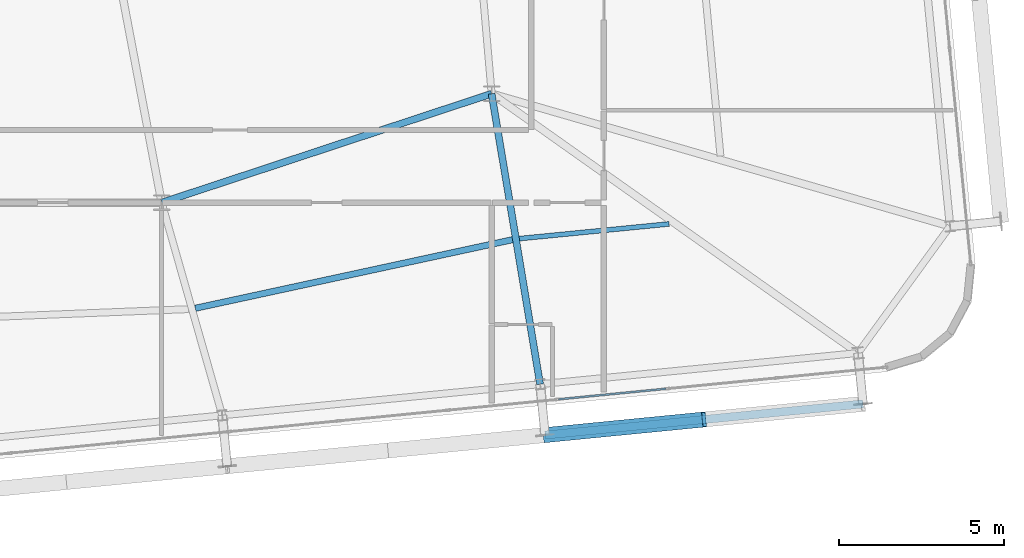
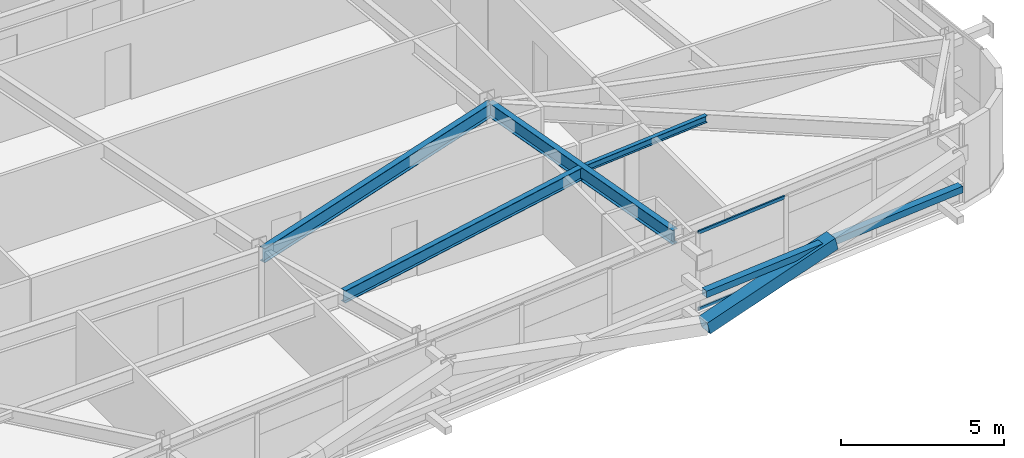
# One storey, part 19 of 52: 4 beams, 4 members, 1 element without a shape of its own.
"""IFC4 building model written with IfcOpenShell, lengths in metres."""

import ifcopenshell
import ifcopenshell.guid

model = None  # the IFC model being written
_history = None  # IfcOwnerHistory: only IFC2X3 demands one
_inside = {}  # id of a spatial element -> (the spatial element, [elements in it])
_under = {}  # id of a project, library or spatial element -> (it, [spatial elements below it])
_declared = {}  # id of a project -> (the project, [libraries it declares])
_typed = {}  # id of a type object -> (the type object, [elements of that type])
_made_of = {}  # id of a material, layer set ... -> (it, [elements and type objects made of it])


def new_model(schema):
    """Start an empty IFC model of exactly this schema.

    Asked for "IFC4X3", IfcOpenShell would pick the latest addendum, in which some entities
    have other attributes; the version numbers below select the first issue.
    IFC2X3 requires an IfcOwnerHistory on every rooted entity: one is made here for all.
    """
    global model, _history
    if schema == "IFC4X3":
        model = ifcopenshell.file(schema_version=(4, 3, 0, 0))
    else:
        model = ifcopenshell.file(schema=schema)
    _inside.clear()
    _under.clear()
    _declared.clear()
    _typed.clear()
    _made_of.clear()
    _history = None
    if model.schema == "IFC2X3":
        org = make("IfcOrganization", Name="unknown")
        user = make(
            "IfcPersonAndOrganization",
            ThePerson=make("IfcPerson", FamilyName="unknown"),
            TheOrganization=org,
        )
        app = make(
            "IfcApplication",
            ApplicationDeveloper=org,
            Version="unknown",
            ApplicationFullName="unknown",
            ApplicationIdentifier="unknown",
        )
        _history = make(
            "IfcOwnerHistory",
            OwningUser=user,
            OwningApplication=app,
            ChangeAction="ADDED",
            CreationDate=0,
        )
    return model


def make(cls, **values):
    """One entity of the class cls with the attributes given. An attribute that is None is left unset."""
    return model.create_entity(
        cls, **{name: value for name, value in values.items() if value is not None}
    )


def rooted(cls, **values):
    """An entity with a GlobalId (a new one), such as an element, a storey or a relation."""
    return make(cls, GlobalId=ifcopenshell.guid.new(), OwnerHistory=_history, **values)


def si_unit(unit_type, name, prefix=None):
    """IfcSIUnit, for example si_unit("LENGTHUNIT", "METRE", prefix="MILLI")."""
    return make("IfcSIUnit", UnitType=unit_type, Prefix=prefix, Name=name)


def assignment(units):
    """IfcUnitAssignment: the units of a project."""
    return None if units is None else make("IfcUnitAssignment", Units=units)


def point(xyz):
    """IfcCartesianPoint."""
    return None if xyz is None else make("IfcCartesianPoint", Coordinates=xyz)


def direction(xyz):
    """IfcDirection."""
    return None if xyz is None else make("IfcDirection", DirectionRatios=xyz)


def frame(location, z_axis=None, x_axis=None):
    """IfcAxis2Placement3D, a coordinate frame: its origin and axes. An axis left out is left unset."""
    return make(
        "IfcAxis2Placement3D",
        Location=point(location),
        Axis=direction(z_axis),
        RefDirection=direction(x_axis),
    )


def frame_2d(location, x_axis=None):
    """IfcAxis2Placement2D, a coordinate frame in the plane: its origin and x axis."""
    return make(
        "IfcAxis2Placement2D", Location=point(location), RefDirection=direction(x_axis)
    )


def origin():
    """The frame at (0, 0, 0) with its axes left unset."""
    return frame((0.0, 0.0, 0.0))


def origin_2d():
    """The frame at (0, 0) in the plane with its x axis left unset."""
    return frame_2d((0.0, 0.0))


def place(relative_to, where):
    """IfcLocalPlacement: puts the frame where relative to a parent placement (None: the world)."""
    return make(
        "IfcLocalPlacement", PlacementRelTo=relative_to, RelativePlacement=where
    )


def context(
    kind, dimensions, precision=None, world=None, true_north=None, identifier=None
):
    """IfcGeometricRepresentationContext, for example the 3D "Model" context."""
    return make(
        "IfcGeometricRepresentationContext",
        ContextIdentifier=identifier,
        ContextType=kind,
        CoordinateSpaceDimension=dimensions,
        Precision=precision,
        WorldCoordinateSystem=world,
        TrueNorth=true_north,
    )


def subcontext(parent, identifier, kind, view, scale=None):
    """IfcGeometricRepresentationSubContext, for example "Body" below "Model"."""
    return make(
        "IfcGeometricRepresentationSubContext",
        ContextIdentifier=identifier,
        ContextType=kind,
        ParentContext=parent,
        TargetScale=scale,
        TargetView=view,
    )


def project(units=None, contexts=None):
    """IfcProject with its units and contexts."""
    return rooted(
        "IfcProject",
        Name="project",
        RepresentationContexts=contexts,
        UnitsInContext=assignment(units),
    )


def spatial(cls, under=None, at=None, **own):
    """A site, building, storey or space (cls), placed at a placement, below another one or the project."""
    s = rooted(cls, ObjectPlacement=at, **own)
    if under is not None:
        _under.setdefault(under.id(), (under, []))[1].append(s)
    return s


def profile(cls, at=None, kind="AREA", **sizes):
    """A parametric profile (cls). Its sizes go by their IFC names, for example OverallWidth=200.0."""
    return make(cls, ProfileType=kind, Position=at, **sizes)


def hollow_rectangle(**sizes):
    """IfcRectangleHollowProfileDef."""
    return profile("IfcRectangleHollowProfileDef", **sizes)


def i_section(**sizes):
    """IfcIShapeProfileDef."""
    return profile("IfcIShapeProfileDef", **sizes)


def extrude(swept, where, along, depth):
    """IfcExtrudedAreaSolid: the profile swept, set in the frame where, extruded along a direction by depth."""
    return make(
        "IfcExtrudedAreaSolid",
        SweptArea=swept,
        Position=where,
        ExtrudedDirection=direction(along),
        Depth=depth,
    )


def shape(context_of_items, identifier, shape_type, items):
    """IfcShapeRepresentation: the items that make up one representation, for example the "Body"."""
    return make(
        "IfcShapeRepresentation",
        ContextOfItems=context_of_items,
        RepresentationIdentifier=identifier,
        RepresentationType=shape_type,
        Items=items,
    )


def source(mapping_origin, context_of_items, identifier, shape_type, items):
    """IfcRepresentationMap: a shape defined once, which mapped items show again and again."""
    return make(
        "IfcRepresentationMap",
        MappingOrigin=mapping_origin,
        MappedRepresentation=shape(context_of_items, identifier, shape_type, items),
    )


def transform(
    local_origin,
    x_axis=None,
    y_axis=None,
    z_axis=None,
    scale=None,
    scale2=None,
    scale3=None,
    uniform=True,
):
    """IfcCartesianTransformationOperator3D, or its non-uniform kind. x_axis, y_axis, z_axis: its Axis1, 2, 3."""
    if uniform:
        return make(
            "IfcCartesianTransformationOperator3D",
            Axis1=direction(x_axis),
            Axis2=direction(y_axis),
            LocalOrigin=point(local_origin),
            Scale=scale,
            Axis3=direction(z_axis),
        )
    return make(
        "IfcCartesianTransformationOperator3DnonUniform",
        Axis1=direction(x_axis),
        Axis2=direction(y_axis),
        LocalOrigin=point(local_origin),
        Scale=scale,
        Axis3=direction(z_axis),
        Scale2=scale2,
        Scale3=scale3,
    )


def mapped(mapping_source, mapping_target):
    """IfcMappedItem: shows the shape of a source again, moved by a transform."""
    return make(
        "IfcMappedItem", MappingSource=mapping_source, MappingTarget=mapping_target
    )


def material(Name=None, Category=None):
    """IfcMaterial."""
    return make("IfcMaterial", Name=Name, Category=Category)


def layer(
    of_material, thickness, ventilated=None, Name=None, Category=None, Priority=None
):
    """IfcMaterialLayer: one layer of a wall or slab, of a material (None: an air gap)."""
    return make(
        "IfcMaterialLayer",
        Material=of_material,
        LayerThickness=thickness,
        IsVentilated=ventilated,
        Name=Name,
        Category=Category,
        Priority=Priority,
    )


def layer_set(layers, Name=None):
    """IfcMaterialLayerSet."""
    return make("IfcMaterialLayerSet", MaterialLayers=layers, LayerSetName=Name)


def material_profile(
    of_material, cross_section, Name=None, Category=None, Priority=None
):
    """IfcMaterialProfile: a cross section and its material."""
    return make(
        "IfcMaterialProfile",
        Name=Name,
        Material=of_material,
        Profile=cross_section,
        Priority=Priority,
        Category=Category,
    )


def profile_set(profiles, Name=None, composite=None):
    """IfcMaterialProfileSet."""
    return make(
        "IfcMaterialProfileSet",
        Name=Name,
        MaterialProfiles=profiles,
        CompositeProfile=composite,
    )


def made_of(thing, what):
    """Note that an element or type object is made of a material, layer set ...; save() writes the relation."""
    if what is not None:
        _made_of.setdefault(what.id(), (what, []))[1].append(thing)
    return thing


def type_object(cls, material=None, **own):
    """A type object (cls), such as IfcWallType, which elements share."""
    return made_of(rooted(cls, **own), material)


def element(
    cls,
    number,
    at=None,
    inside=None,
    cuts=None,
    type_object=None,
    material=None,
    context=None,
    identifier="Body",
    shape_type=None,
    held_by="IfcProductDefinitionShape",
    body=None,
    shapes=None,
    **own,
):
    """One element of the class cls, such as IfcWall. Its Tag is "e" and its number.

    at: its placement. inside: the storey or other place that contains it. cuts: it is an
    opening in that element (IfcRelVoidsElement). A single representation is given by context,
    identifier, shape_type and body (its items); several are given by shapes. held_by: the class
    of the entity that holds the representations. save() writes the other relations.
    """
    e = rooted(cls, Tag="e%d" % number, ObjectPlacement=at, **own)
    if body is not None:
        shapes = [shape(context, identifier, shape_type, body)]
    if shapes is not None:
        e.Representation = make(held_by, Representations=shapes)
    if inside is not None:
        _inside.setdefault(inside.id(), (inside, []))[1].append(e)
    if cuts is not None:
        rooted(
            "IfcRelVoidsElement", RelatingBuildingElement=cuts, RelatedOpeningElement=e
        )
    if type_object is not None:
        _typed.setdefault(type_object.id(), (type_object, []))[1].append(e)
    return made_of(e, material)


def aggregate(whole, parts):
    """IfcRelAggregates: a whole, such as a stair, and the parts it consists of."""
    return rooted("IfcRelAggregates", RelatingObject=whole, RelatedObjects=parts)


def save(model, path):
    """Write the relations noted so far, then the file.

    IfcRelAggregates (storeys below a building ...), IfcRelContainedInSpatialStructure (elements
    in a storey), IfcRelDefinesByType, IfcRelAssociatesMaterial and IfcRelDeclares: one each for
    every whole, place, type object, material and project.
    """
    for whole, parts in _under.values():
        aggregate(whole, parts)
    for where, things in _inside.values():
        rooted(
            "IfcRelContainedInSpatialStructure",
            RelatedElements=things,
            RelatingStructure=where,
        )
    for kind, things in _typed.values():
        rooted("IfcRelDefinesByType", RelatedObjects=things, RelatingType=kind)
    for what, things in _made_of.values():
        rooted("IfcRelAssociatesMaterial", RelatedObjects=things, RelatingMaterial=what)
    for by, libraries in _declared.values():
        rooted("IfcRelDeclares", RelatingContext=by, RelatedDefinitions=libraries)
    model.write(path)


model = new_model("IFC4")

# Units and contexts
model_context = context("Model", 3, precision=1e-05, world=origin(), true_north=direction((0.0, 1.0)))
body_context = subcontext(model_context, "Body", "Model", "MODEL_VIEW")
ifc_project = project(units=[si_unit("LENGTHUNIT", "METRE"), si_unit("AREAUNIT", "SQUARE_METRE"), si_unit("VOLUMEUNIT", "CUBIC_METRE"), si_unit("PLANEANGLEUNIT", "RADIAN"), si_unit("MASSUNIT", "GRAM", prefix="KILO")], contexts=[model_context])

# Site, building, storey
site_placement = place(None, origin())
site = spatial("IfcSite", under=ifc_project, at=site_placement, CompositionType="ELEMENT")
building_placement = place(site_placement, origin())
building = spatial("IfcBuilding", under=site, at=building_placement, Name="Taldren Reach Tower", CompositionType="ELEMENT")
storey_placement = place(building_placement, frame((0.0, 0.0, 74.550048828125)))
storey = spatial("IfcBuildingStorey", under=building, at=storey_placement, Name="L22", CompositionType="ELEMENT", Elevation=74.550048828125)

# Beams
ifc_material_1 = material(Name="Steel Gr 350 (350PLUS)", Category="steel")
ifc_material_profile_1 = material_profile(ifc_material_1, i_section(OverallWidth=0.208984375, OverallDepth=0.532958984375, WebThickness=0.01025390625, FlangeThickness=0.015625, at=origin_2d()), Name="530UB92.4")
ifc_profile_set_1 = profile_set([ifc_material_profile_1], Name="Steel Gr 350 (350PLUS)")
beam_type_1 = type_object("IfcBeamType", Name="BM-UB530A", PredefinedType="BEAM", material=ifc_profile_set_1)
shared_shape_1 = source(origin(), body_context, "Body", "SweptSolid", [
    extrude(i_section(OverallWidth=0.208984375, OverallDepth=0.532958984375, WebThickness=0.01025390625, FlangeThickness=0.015625, at=origin_2d()), origin(), (0.0, 0.0, 1.0), 10.530517578125),
])
beam_1_placement = place(storey_placement, frame((42.0, 9.199951171875, 2.663330078125), z_axis=(0.949627269203, 0.313381635689, 0.0), x_axis=(-0.313381635689, 0.949627269203, 0.0)))
element("IfcBeam", 1, at=beam_1_placement, inside=storey, type_object=beam_type_1, Name="Core-spine girder L22-SP12", PredefinedType="BEAM", context=body_context, shape_type="MappedRepresentation", body=[
    mapped(shared_shape_1, transform((0.0, 0.0, 0.0), scale=1.0)),
])
shared_shape_2 = source(origin(), body_context, "Body", "SweptSolid", [
    extrude(i_section(OverallWidth=0.208984375, OverallDepth=0.532958984375, WebThickness=0.01025390625, FlangeThickness=0.015625, at=origin_2d()), origin(), (0.0, 0.0, 1.0), 8.92333984375),
])
beam_2_placement = place(storey_placement, frame((52.0, 12.5, 2.663330078125), z_axis=(0.164678494096, -0.986347298664, 0.0), x_axis=(0.986347298664, 0.164678494096, 0.0)))
element("IfcBeam", 2, at=beam_2_placement, inside=storey, type_object=beam_type_1, Name="Primary floor girder B2-S5 L22", PredefinedType="BEAM", context=body_context, shape_type="MappedRepresentation", body=[
    mapped(shared_shape_2, transform((0.0, 0.0, 0.0), scale=1.0)),
])
ifc_material_profile_2 = material_profile(ifc_material_1, i_section(OverallWidth=0.19091796875, OverallDepth=0.4599609375, WebThickness=0.010009765625, FlangeThickness=0.01611328125, at=origin_2d()), Name="460UB82.1")
ifc_profile_set_2 = profile_set([ifc_material_profile_2], Name="Steel Gr 350 (350PLUS)")
beam_type_2 = type_object("IfcBeamType", Name="BM-UB460A", PredefinedType="BEAM", material=ifc_profile_set_2)
shared_shape_3 = source(origin(), body_context, "Body", "SweptSolid", [
    extrude(i_section(OverallWidth=0.19091796875, OverallDepth=0.4599609375, WebThickness=0.010009765625, FlangeThickness=0.01611328125, at=origin_2d()), origin(), (0.0, 0.0, 1.0), 9.83447265625),
])
beam_3_placement = place(storey_placement, frame((43.02001953125, 5.9990234375, 2.699951171875), z_axis=(0.977418600156, 0.211312280924, 0.0), x_axis=(-0.211312280924, 0.977418600156, 0.0)))
element("IfcBeam", 3, at=beam_3_placement, inside=storey, type_object=beam_type_2, Name="Secondary floor beam B2 J4 L22", PredefinedType="BEAM", context=body_context, shape_type="MappedRepresentation", body=[
    mapped(shared_shape_3, transform((0.0, 0.0, 0.0), scale=1.0)),
])
ifc_material_2 = material(Name="Steel Gr 300 (300PLUS, 300 MPa)", Category="steel")
ifc_material_profile_3 = material_profile(ifc_material_2, i_section(OverallWidth=0.14599609375, OverallDepth=0.256103515625, WebThickness=0.00634765625, FlangeThickness=0.010986328125, at=origin_2d()), Name="250UB37.3")
ifc_profile_set_3 = profile_set([ifc_material_profile_3], Name="Steel Gr 300 (300PLUS, 300 MPa)")
beam_type_3 = type_object("IfcBeamType", Name="JS-UB250", PredefinedType="JOIST", material=ifc_profile_set_3)
shared_shape_4 = source(origin(), body_context, "Body", "SweptSolid", [
    extrude(i_section(OverallWidth=0.14599609375, OverallDepth=0.256103515625, WebThickness=0.00634765625, FlangeThickness=0.010986328125, at=origin_2d()), origin(), (0.0, 0.0, 1.0), 4.56103515625),
])
beam_4_placement = place(storey_placement, frame((52.8388671875, 8.109375, 2.802001953125), z_axis=(0.995227709746, 0.097579740487, 0.0), x_axis=(-0.097579740487, 0.995227709746, 0.0)))
element("IfcBeam", 4, at=beam_4_placement, inside=storey, type_object=beam_type_3, Name="Secondary floor joist B2 J5 L22", PredefinedType="JOIST", context=body_context, shape_type="MappedRepresentation", body=[
    mapped(shared_shape_4, transform((0.0, 0.0, 0.0), scale=1.0)),
])

# Members
ifc_material_3 = material(Name="Steel Gr 450 (C450L0)", Category="steel")
ifc_material_profile_4 = material_profile(ifc_material_3, hollow_rectangle(XDim=0.4599609375, YDim=0.4599609375, WallThickness=0.01611328125, at=origin_2d()), Name="460x460x16.0SHS")
ifc_profile_set_4 = profile_set([ifc_material_profile_4], Name="Steel Gr 450 (C450L0)")
member_type_1 = type_object("IfcMemberType", Name="MB-EXO457", PredefinedType="BRACE", material=ifc_profile_set_4)
shared_shape_5 = source(origin(), body_context, "Body", "SweptSolid", [
    extrude(hollow_rectangle(XDim=0.4599609375, YDim=0.4599609375, WallThickness=0.01611328125, at=origin_2d()), origin(), (0.0, 0.0, 1.0), 4.990234375),
])
member_1_placement = place(storey_placement, frame((53.62060546875, 2.156005859375, 0.219970703125), z_axis=(0.965275526283, 0.094619506732, 0.243496010862), x_axis=(-0.097555749586, 0.995230061706, 0.0)))
element("IfcMember", 5, at=member_1_placement, inside=storey, type_object=member_type_1, Name="Exoskeleton Diagrid Brace B2-S5 L22", PredefinedType="BRACE", context=body_context, shape_type="MappedRepresentation", body=[
    mapped(shared_shape_5, transform((0.0, 0.0, 0.0), scale=1.0)),
])
ifc_material_4 = material(Name="Steel Gr 350 (C350L0)", Category="steel")
ifc_material_profile_5 = material_profile(ifc_material_4, hollow_rectangle(XDim=0.25, YDim=0.25, WallThickness=0.010009765625, at=origin_2d()), Name="250x250x10.0SHS")
ifc_profile_set_5 = profile_set([ifc_material_profile_5], Name="Steel Gr 350 (C350L0)")
member_type_2 = type_object("IfcMemberType", Name="MB-POST250", PredefinedType="POST", material=ifc_profile_set_5)
shared_shape_6 = source(origin(), body_context, "Body", "SweptSolid", [
    extrude(hollow_rectangle(XDim=0.25, YDim=0.25, WallThickness=0.010009765625, at=origin_2d()), origin(), (0.0, 0.0, 1.0), 9.679931640625),
])
member_2_placement = place(storey_placement, frame((53.62060546875, 2.156005859375, 1.43505859375), z_axis=(0.995227612658, 0.097580730699, 0.0), x_axis=(-0.097580730699, 0.995227612658, 0.0)))
element("IfcMember", 6, at=member_2_placement, inside=storey, type_object=member_type_2, Name="Exoskeleton mid-height ring chord B2-S5 L22", PredefinedType="POST", context=body_context, shape_type="MappedRepresentation", body=[
    mapped(shared_shape_6, transform((0.0, 0.0, 0.0), scale=1.0)),
])

# Curtain wall, members
ifc_material_5 = material(Name="Aluminium and Low-E Glass Unitised System", Category="aluminium")
ifc_layer = layer(ifc_material_5, 0.159912109375)
ifc_layer_set = layer_set([ifc_layer], Name="Aluminium and Low-E Glass Unitised System")
curtain_wall_type = type_object("IfcCurtainWallType", Name="CW-SYS-3", PredefinedType="NOTDEFINED", material=ifc_layer_set)
curtain_wall_placement = place(storey_placement, origin())
curtain_wall = element("IfcCurtainWall", 7, at=curtain_wall_placement, inside=storey, type_object=curtain_wall_type, Name="Unitised curtain wall CW-L22-S", PredefinedType="NOTDEFINED")
ifc_material_6 = material(Name="Anodised Aluminium 6063-T6", Category="aluminium")
ifc_material_profile_6 = material_profile(ifc_material_6, hollow_rectangle(XDim=0.054931640625, YDim=0.1201171875, WallThickness=0.0029296875, at=origin_2d()), Name="ALU-120x55x3RHS")
ifc_profile_set_6 = profile_set([ifc_material_profile_6], Name="Anodised Aluminium 6063-T6")
member_type_3 = type_object("IfcMemberType", Name="CW-TRN-135", PredefinedType="USERDEFINED", material=ifc_profile_set_6)
shared_shape_7 = source(origin(), body_context, "Body", "SweptSolid", [
    extrude(hollow_rectangle(XDim=0.054931640625, YDim=0.1201171875, WallThickness=0.0029296875, at=origin_2d()), origin(), (0.0, 0.0, 1.0), 3.268310546875),
])
member_3_placement = place(storey_placement, frame((54.029296875, 3.240966796875, 0.02734375), z_axis=(0.99522980512, 0.097558367146, 0.0), x_axis=(-0.097558367146, 0.99522980512, 0.0)))
member_3 = element("IfcMember", 8, at=member_3_placement, type_object=member_type_3, Name="CW-3 transom 13.1", ObjectType="TRANSOM", PredefinedType="USERDEFINED", context=body_context, shape_type="MappedRepresentation", body=[
    mapped(shared_shape_7, transform((0.0, 0.0, 0.0), scale=1.0)),
])
member_4_placement = place(storey_placement, frame((54.029296875, 3.240966796875, 2.90234375), z_axis=(0.99522980512, 0.097558367146, 0.0), x_axis=(-0.097558367146, 0.99522980512, 0.0)))
member_4 = element("IfcMember", 9, at=member_4_placement, type_object=member_type_3, Name="CW-3 transom 13.2", ObjectType="TRANSOM", PredefinedType="USERDEFINED", context=body_context, shape_type="MappedRepresentation", body=[
    mapped(shared_shape_7, transform((0.0, 0.0, 0.0), scale=1.0)),
])
aggregate(curtain_wall, [member_3, member_4])

save(model, "model.ifc")
